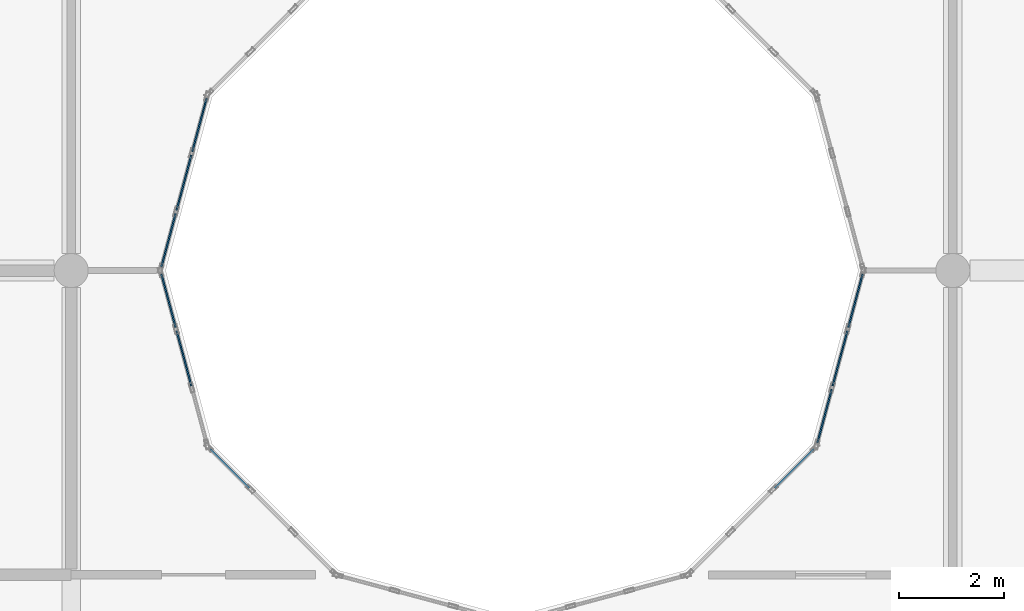
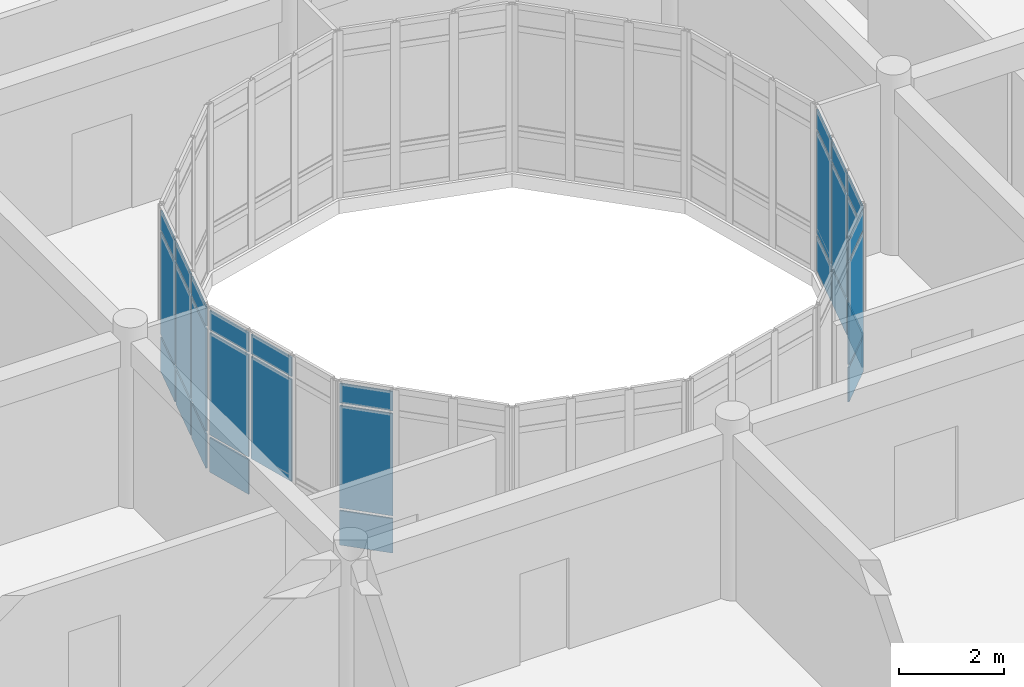
# One storey, part 62 of 119: 29 plates, 5 elements without a shape of their own.
"""IFC4 building model written with IfcOpenShell, lengths in metres."""

from ifc_helpers import new_model, si_unit, direction, frame, origin, origin_2d, place, context, subcontext, project, spatial, rectangle, extrude, material, layer, layer_set, type_object, element, aggregate, save


model = new_model("IFC4")

# Units and contexts
model_context = context("Model", 3, precision=1e-05, world=origin(), true_north=direction((0.0, 1.0)))
body_context = subcontext(model_context, "Body", "Model", "MODEL_VIEW")
ifc_project = project(units=[si_unit("LENGTHUNIT", "METRE"), si_unit("AREAUNIT", "SQUARE_METRE"), si_unit("VOLUMEUNIT", "CUBIC_METRE"), si_unit("PLANEANGLEUNIT", "RADIAN"), si_unit("MASSUNIT", "GRAM", prefix="KILO")], contexts=[model_context])

# Site, building, storey
site_placement = place(None, origin())
site = spatial("IfcSite", under=ifc_project, at=site_placement, CompositionType="ELEMENT")
building_placement = place(site_placement, origin())
building = spatial("IfcBuilding", under=site, at=building_placement, Name="Bramfleet General Hospital", CompositionType="ELEMENT")
storey_placement = place(building_placement, frame((0.0, 0.0, 14.39990234375)))
storey = spatial("IfcBuildingStorey", under=building, at=storey_placement, Name="L03", CompositionType="ELEMENT", Elevation=14.39990234375)

# Curtain wall, plates
ifc_material_1 = material(Name="Anodised aluminium and low-E triple glazing", Category="aluminium")
ifc_layer_1 = layer(ifc_material_1, 0.179931640625, Name="CWT-CW-17")
ifc_layer_set_1 = layer_set([ifc_layer_1], Name="Anodised aluminium and low-E triple glazing")
curtain_wall_type_1 = type_object("IfcCurtainWallType", Name="CWT-CW-17", PredefinedType="USERDEFINED", material=ifc_layer_set_1)
curtain_wall_1_placement = place(storey_placement, origin())
curtain_wall_1 = element("IfcCurtainWall", 1, at=curtain_wall_1_placement, inside=storey, type_object=curtain_wall_type_1, Name="L03 West Clinical Light Court Curtain Wall 1.1", ObjectType="Stick curtain wall", PredefinedType="USERDEFINED")
ifc_material_2 = material(Name="Low-E laminated safety glass", Category="glass")
ifc_layer_2 = layer(ifc_material_2, 0.031982421875, Name="CWP-GLZ-2")
ifc_layer_set_2 = layer_set([ifc_layer_2], Name="Low-E laminated safety glass")
plate_type = type_object("IfcPlateType", Name="CWP-GLZ-2", PredefinedType="CURTAIN_PANEL", material=ifc_layer_set_2)
plate_1_placement = place(storey_placement, frame((18.654296875, 83.4248046875, 0.06494140625), z_axis=(0.0, 0.0, 1.0), x_axis=(0.25891863407, -0.965899136003, 0.0)))
plate_1 = element("IfcPlate", 2, at=plate_1_placement, type_object=plate_type, Name="CW-17 panel 1.1", PredefinedType="CURTAIN_PANEL", context=body_context, shape_type="SweptSolid", body=[
    extrude(rectangle(XDim=1.051025390625, YDim=0.031982421875, at=origin_2d()), origin(), (0.0, 0.0, 1.0), 0.802490234375),
])
plate_2_placement = place(storey_placement, frame((18.654296875, 83.4248046875, 0.9326171875), z_axis=(0.0, 0.0, 1.0), x_axis=(0.25891863407, -0.965899136003, 0.0)))
plate_2 = element("IfcPlate", 3, at=plate_2_placement, type_object=plate_type, Name="CW-17 panel 1.2", PredefinedType="CURTAIN_PANEL", context=body_context, shape_type="SweptSolid", body=[
    extrude(rectangle(XDim=1.051025390625, YDim=0.031982421875, at=origin_2d()), origin(), (0.0, 0.0, 1.0), 2.375),
])
plate_3_placement = place(storey_placement, frame((18.654296875, 83.4248046875, 3.37255859375), z_axis=(0.0, 0.0, 1.0), x_axis=(0.25891863407, -0.965899136003, 0.0)))
plate_3 = element("IfcPlate", 4, at=plate_3_placement, type_object=plate_type, Name="CW-17 panel 1.3", PredefinedType="CURTAIN_PANEL", context=body_context, shape_type="SweptSolid", body=[
    extrude(rectangle(XDim=1.051025390625, YDim=0.031982421875, at=origin_2d()), origin(), (0.0, 0.0, 1.0), 0.452392578125),
])
plate_4_placement = place(storey_placement, frame((18.948974609375, 82.324951171875, 0.9326171875), z_axis=(0.0, 0.0, 1.0), x_axis=(0.25891863407, -0.965899136003, 0.0)))
plate_4 = element("IfcPlate", 5, at=plate_4_placement, type_object=plate_type, Name="CW-17 panel 2.2", PredefinedType="CURTAIN_PANEL", context=body_context, shape_type="SweptSolid", body=[
    extrude(rectangle(XDim=1.086181640625, YDim=0.031982421875, at=origin_2d()), origin(), (0.0, 0.0, 1.0), 2.375),
])
plate_5_placement = place(storey_placement, frame((18.948974609375, 82.324951171875, 3.37255859375), z_axis=(0.0, 0.0, 1.0), x_axis=(0.25891863407, -0.965899136003, 0.0)))
plate_5 = element("IfcPlate", 6, at=plate_5_placement, type_object=plate_type, Name="CW-17 panel 2.3", PredefinedType="CURTAIN_PANEL", context=body_context, shape_type="SweptSolid", body=[
    extrude(rectangle(XDim=1.086181640625, YDim=0.031982421875, at=origin_2d()), origin(), (0.0, 0.0, 1.0), 0.452392578125),
])
aggregate(curtain_wall_1, [plate_1, plate_2, plate_3, plate_4, plate_5])

ifc_layer_3 = layer(ifc_material_1, 0.179931640625, Name="CWT-CW-18")
ifc_layer_set_3 = layer_set([ifc_layer_3], Name="Anodised aluminium and low-E triple glazing")
curtain_wall_type_2 = type_object("IfcCurtainWallType", Name="CWT-CW-18", PredefinedType="USERDEFINED", material=ifc_layer_set_3)
curtain_wall_2_placement = place(storey_placement, origin())
curtain_wall_2 = element("IfcCurtainWall", 7, at=curtain_wall_2_placement, inside=storey, type_object=curtain_wall_type_2, Name="L03 West Clinical Light Court Curtain Wall 2.1", ObjectType="Stick curtain wall", PredefinedType="USERDEFINED")
plate_6_placement = place(storey_placement, frame((19.819091796875, 80.22900390625, 0.06494140625), z_axis=(0.0, 0.0, 1.0), x_axis=(0.707106781187, -0.707106781187, 0.0)))
plate_6 = element("IfcPlate", 8, at=plate_6_placement, type_object=plate_type, Name="CW-18 panel 1.1", PredefinedType="CURTAIN_PANEL", context=body_context, shape_type="SweptSolid", body=[
    extrude(rectangle(XDim=1.05078125, YDim=0.031982421875, at=origin_2d()), origin(), (0.0, 0.0, 1.0), 0.802490234375),
])
plate_7_placement = place(storey_placement, frame((19.819091796875, 80.22900390625, 0.9326171875), z_axis=(0.0, 0.0, 1.0), x_axis=(0.707106781187, -0.707106781187, 0.0)))
plate_7 = element("IfcPlate", 9, at=plate_7_placement, type_object=plate_type, Name="CW-18 panel 1.2", PredefinedType="CURTAIN_PANEL", context=body_context, shape_type="SweptSolid", body=[
    extrude(rectangle(XDim=1.05078125, YDim=0.031982421875, at=origin_2d()), origin(), (0.0, 0.0, 1.0), 2.375),
])
plate_8_placement = place(storey_placement, frame((19.819091796875, 80.22900390625, 3.37255859375), z_axis=(0.0, 0.0, 1.0), x_axis=(0.707106781187, -0.707106781187, 0.0)))
plate_8 = element("IfcPlate", 10, at=plate_8_placement, type_object=plate_type, Name="CW-18 panel 1.3", PredefinedType="CURTAIN_PANEL", context=body_context, shape_type="SweptSolid", body=[
    extrude(rectangle(XDim=1.05078125, YDim=0.031982421875, at=origin_2d()), origin(), (0.0, 0.0, 1.0), 0.452392578125),
])
aggregate(curtain_wall_2, [plate_6, plate_7, plate_8])

ifc_layer_4 = layer(ifc_material_1, 0.179931640625, Name="CWT-CW-13")
ifc_layer_set_4 = layer_set([ifc_layer_4], Name="Anodised aluminium and low-E triple glazing")
curtain_wall_type_3 = type_object("IfcCurtainWallType", Name="CWT-CW-13", PredefinedType="USERDEFINED", material=ifc_layer_set_4)
curtain_wall_3_placement = place(storey_placement, origin())
curtain_wall_3 = element("IfcCurtainWall", 11, at=curtain_wall_3_placement, inside=storey, type_object=curtain_wall_type_3, Name="L03 West Clinical Light Court Curtain Wall 5.1", ObjectType="Stick curtain wall", PredefinedType="USERDEFINED")
plate_9_placement = place(storey_placement, frame((30.5810546875, 80.22900390625, 0.06494140625), z_axis=(0.0, 0.0, 1.0), x_axis=(0.707106781187, 0.707106781187, 0.0)))
plate_9 = element("IfcPlate", 12, at=plate_9_placement, type_object=plate_type, Name="CW-13 panel 3.1", PredefinedType="CURTAIN_PANEL", context=body_context, shape_type="SweptSolid", body=[
    extrude(rectangle(XDim=1.05078125, YDim=0.031982421875, at=origin_2d()), origin(), (0.0, 0.0, 1.0), 0.802490234375),
])
plate_10_placement = place(storey_placement, frame((30.5810546875, 80.22900390625, 0.9326171875), z_axis=(0.0, 0.0, 1.0), x_axis=(0.707106781187, 0.707106781187, 0.0)))
plate_10 = element("IfcPlate", 13, at=plate_10_placement, type_object=plate_type, Name="CW-13 panel 3.2", PredefinedType="CURTAIN_PANEL", context=body_context, shape_type="SweptSolid", body=[
    extrude(rectangle(XDim=1.05078125, YDim=0.031982421875, at=origin_2d()), origin(), (0.0, 0.0, 1.0), 2.375),
])
plate_11_placement = place(storey_placement, frame((30.5810546875, 80.22900390625, 3.37255859375), z_axis=(0.0, 0.0, 1.0), x_axis=(0.707106781187, 0.707106781187, 0.0)))
plate_11 = element("IfcPlate", 14, at=plate_11_placement, type_object=plate_type, Name="CW-13 panel 3.3", PredefinedType="CURTAIN_PANEL", context=body_context, shape_type="SweptSolid", body=[
    extrude(rectangle(XDim=1.05078125, YDim=0.031982421875, at=origin_2d()), origin(), (0.0, 0.0, 1.0), 0.452392578125),
])
aggregate(curtain_wall_3, [plate_9, plate_10, plate_11])

ifc_layer_5 = layer(ifc_material_1, 0.179931640625, Name="CWT-CW-14")
ifc_layer_set_5 = layer_set([ifc_layer_5], Name="Anodised aluminium and low-E triple glazing")
curtain_wall_type_4 = type_object("IfcCurtainWallType", Name="CWT-CW-14", PredefinedType="USERDEFINED", material=ifc_layer_set_5)
curtain_wall_4_placement = place(storey_placement, origin())
curtain_wall_4 = element("IfcCurtainWall", 15, at=curtain_wall_4_placement, inside=storey, type_object=curtain_wall_type_4, Name="L03 West Clinical Light Court Curtain Wall 6.1", ObjectType="Stick curtain wall", PredefinedType="USERDEFINED")
plate_12_placement = place(storey_placement, frame((31.15625, 81.225341796875, 0.06494140625), z_axis=(0.0, 0.0, 1.0), x_axis=(0.25891863407, 0.965899136003, 0.0)))
plate_12 = element("IfcPlate", 16, at=plate_12_placement, type_object=plate_type, Name="CW-14 panel 1.1", PredefinedType="CURTAIN_PANEL", context=body_context, shape_type="SweptSolid", body=[
    extrude(rectangle(XDim=1.051025390625, YDim=0.031982421875, at=origin_2d()), origin(), (0.0, 0.0, 1.0), 0.802490234375),
])
plate_13_placement = place(storey_placement, frame((31.15625, 81.225341796875, 0.9326171875), z_axis=(0.0, 0.0, 1.0), x_axis=(0.25891863407, 0.965899136003, 0.0)))
plate_13 = element("IfcPlate", 17, at=plate_13_placement, type_object=plate_type, Name="CW-14 panel 1.2", PredefinedType="CURTAIN_PANEL", context=body_context, shape_type="SweptSolid", body=[
    extrude(rectangle(XDim=1.051025390625, YDim=0.031982421875, at=origin_2d()), origin(), (0.0, 0.0, 1.0), 2.375),
])
plate_14_placement = place(storey_placement, frame((31.15625, 81.225341796875, 3.37255859375), z_axis=(0.0, 0.0, 1.0), x_axis=(0.25891863407, 0.965899136003, 0.0)))
plate_14 = element("IfcPlate", 18, at=plate_14_placement, type_object=plate_type, Name="CW-14 panel 1.3", PredefinedType="CURTAIN_PANEL", context=body_context, shape_type="SweptSolid", body=[
    extrude(rectangle(XDim=1.051025390625, YDim=0.031982421875, at=origin_2d()), origin(), (0.0, 0.0, 1.0), 0.452392578125),
])
plate_15_placement = place(storey_placement, frame((31.450927734375, 82.324951171875, 0.06494140625), z_axis=(0.0, 0.0, 1.0), x_axis=(0.25891863407, 0.965899136003, 0.0)))
plate_15 = element("IfcPlate", 19, at=plate_15_placement, type_object=plate_type, Name="CW-14 panel 2.1", PredefinedType="CURTAIN_PANEL", context=body_context, shape_type="SweptSolid", body=[
    extrude(rectangle(XDim=1.086181640625, YDim=0.031982421875, at=origin_2d()), origin(), (0.0, 0.0, 1.0), 0.802490234375),
])
plate_16_placement = place(storey_placement, frame((31.450927734375, 82.324951171875, 0.9326171875), z_axis=(0.0, 0.0, 1.0), x_axis=(0.25891863407, 0.965899136003, 0.0)))
plate_16 = element("IfcPlate", 20, at=plate_16_placement, type_object=plate_type, Name="CW-14 panel 2.2", PredefinedType="CURTAIN_PANEL", context=body_context, shape_type="SweptSolid", body=[
    extrude(rectangle(XDim=1.086181640625, YDim=0.031982421875, at=origin_2d()), origin(), (0.0, 0.0, 1.0), 2.375),
])
plate_17_placement = place(storey_placement, frame((31.450927734375, 82.324951171875, 3.37255859375), z_axis=(0.0, 0.0, 1.0), x_axis=(0.25891863407, 0.965899136003, 0.0)))
plate_17 = element("IfcPlate", 21, at=plate_17_placement, type_object=plate_type, Name="CW-14 panel 2.3", PredefinedType="CURTAIN_PANEL", context=body_context, shape_type="SweptSolid", body=[
    extrude(rectangle(XDim=1.086181640625, YDim=0.031982421875, at=origin_2d()), origin(), (0.0, 0.0, 1.0), 0.452392578125),
])
plate_18_placement = place(storey_placement, frame((31.745849609375, 83.4248046875, 0.06494140625), z_axis=(0.0, 0.0, 1.0), x_axis=(0.25891863407, 0.965899136003, 0.0)))
plate_18 = element("IfcPlate", 22, at=plate_18_placement, type_object=plate_type, Name="CW-14 panel 3.1", PredefinedType="CURTAIN_PANEL", context=body_context, shape_type="SweptSolid", body=[
    extrude(rectangle(XDim=1.051025390625, YDim=0.031982421875, at=origin_2d()), origin(), (0.0, 0.0, 1.0), 0.802490234375),
])
plate_19_placement = place(storey_placement, frame((31.745849609375, 83.4248046875, 0.9326171875), z_axis=(0.0, 0.0, 1.0), x_axis=(0.25891863407, 0.965899136003, 0.0)))
plate_19 = element("IfcPlate", 23, at=plate_19_placement, type_object=plate_type, Name="CW-14 panel 3.2", PredefinedType="CURTAIN_PANEL", context=body_context, shape_type="SweptSolid", body=[
    extrude(rectangle(XDim=1.051025390625, YDim=0.031982421875, at=origin_2d()), origin(), (0.0, 0.0, 1.0), 2.375),
])
plate_20_placement = place(storey_placement, frame((31.745849609375, 83.4248046875, 3.37255859375), z_axis=(0.0, 0.0, 1.0), x_axis=(0.25891863407, 0.965899136003, 0.0)))
plate_20 = element("IfcPlate", 24, at=plate_20_placement, type_object=plate_type, Name="CW-14 panel 3.3", PredefinedType="CURTAIN_PANEL", context=body_context, shape_type="SweptSolid", body=[
    extrude(rectangle(XDim=1.051025390625, YDim=0.031982421875, at=origin_2d()), origin(), (0.0, 0.0, 1.0), 0.452392578125),
])
aggregate(curtain_wall_4, [plate_12, plate_13, plate_14, plate_15, plate_16, plate_17, plate_18, plate_19, plate_20])

ifc_layer_6 = layer(ifc_material_1, 0.179931640625, Name="CWT-CW-12")
ifc_layer_set_6 = layer_set([ifc_layer_6], Name="Anodised aluminium and low-E triple glazing")
curtain_wall_type_5 = type_object("IfcCurtainWallType", Name="CWT-CW-12", PredefinedType="USERDEFINED", material=ifc_layer_set_6)
curtain_wall_5_placement = place(storey_placement, origin())
curtain_wall_5 = element("IfcCurtainWall", 25, at=curtain_wall_5_placement, inside=storey, type_object=curtain_wall_type_5, Name="L03 West Clinical Light Court Curtain Wall 12.1", ObjectType="Stick curtain wall", PredefinedType="USERDEFINED")
plate_21_placement = place(storey_placement, frame((19.243896484375, 86.774658203125, 0.06494140625), z_axis=(0.0, 0.0, 1.0), x_axis=(-0.25891863407, -0.965899136003, 0.0)))
plate_21 = element("IfcPlate", 26, at=plate_21_placement, type_object=plate_type, Name="CW-12 panel 1.1", PredefinedType="CURTAIN_PANEL", context=body_context, shape_type="SweptSolid", body=[
    extrude(rectangle(XDim=1.051025390625, YDim=0.031982421875, at=origin_2d()), origin(), (0.0, 0.0, 1.0), 0.802490234375),
])
plate_22_placement = place(storey_placement, frame((19.243896484375, 86.774658203125, 0.9326171875), z_axis=(0.0, 0.0, 1.0), x_axis=(-0.25891863407, -0.965899136003, 0.0)))
plate_22 = element("IfcPlate", 27, at=plate_22_placement, type_object=plate_type, Name="CW-12 panel 1.2", PredefinedType="CURTAIN_PANEL", context=body_context, shape_type="SweptSolid", body=[
    extrude(rectangle(XDim=1.051025390625, YDim=0.031982421875, at=origin_2d()), origin(), (0.0, 0.0, 1.0), 2.375),
])
plate_23_placement = place(storey_placement, frame((19.243896484375, 86.774658203125, 3.37255859375), z_axis=(0.0, 0.0, 1.0), x_axis=(-0.25891863407, -0.965899136003, 0.0)))
plate_23 = element("IfcPlate", 28, at=plate_23_placement, type_object=plate_type, Name="CW-12 panel 1.3", PredefinedType="CURTAIN_PANEL", context=body_context, shape_type="SweptSolid", body=[
    extrude(rectangle(XDim=1.051025390625, YDim=0.031982421875, at=origin_2d()), origin(), (0.0, 0.0, 1.0), 0.452392578125),
])
plate_24_placement = place(storey_placement, frame((18.948974609375, 85.675048828125, 0.06494140625), z_axis=(0.0, 0.0, 1.0), x_axis=(-0.25891863407, -0.965899136003, 0.0)))
plate_24 = element("IfcPlate", 29, at=plate_24_placement, type_object=plate_type, Name="CW-12 panel 2.1", PredefinedType="CURTAIN_PANEL", context=body_context, shape_type="SweptSolid", body=[
    extrude(rectangle(XDim=1.086181640625, YDim=0.031982421875, at=origin_2d()), origin(), (0.0, 0.0, 1.0), 0.802490234375),
])
plate_25_placement = place(storey_placement, frame((18.948974609375, 85.675048828125, 0.9326171875), z_axis=(0.0, 0.0, 1.0), x_axis=(-0.25891863407, -0.965899136003, 0.0)))
plate_25 = element("IfcPlate", 30, at=plate_25_placement, type_object=plate_type, Name="CW-12 panel 2.2", PredefinedType="CURTAIN_PANEL", context=body_context, shape_type="SweptSolid", body=[
    extrude(rectangle(XDim=1.086181640625, YDim=0.031982421875, at=origin_2d()), origin(), (0.0, 0.0, 1.0), 2.375),
])
plate_26_placement = place(storey_placement, frame((18.948974609375, 85.675048828125, 3.37255859375), z_axis=(0.0, 0.0, 1.0), x_axis=(-0.25891863407, -0.965899136003, 0.0)))
plate_26 = element("IfcPlate", 31, at=plate_26_placement, type_object=plate_type, Name="CW-12 panel 2.3", PredefinedType="CURTAIN_PANEL", context=body_context, shape_type="SweptSolid", body=[
    extrude(rectangle(XDim=1.086181640625, YDim=0.031982421875, at=origin_2d()), origin(), (0.0, 0.0, 1.0), 0.452392578125),
])
plate_27_placement = place(storey_placement, frame((18.654296875, 84.5751953125, 0.06494140625), z_axis=(0.0, 0.0, 1.0), x_axis=(-0.25891863407, -0.965899136003, 0.0)))
plate_27 = element("IfcPlate", 32, at=plate_27_placement, type_object=plate_type, Name="CW-12 panel 3.1", PredefinedType="CURTAIN_PANEL", context=body_context, shape_type="SweptSolid", body=[
    extrude(rectangle(XDim=1.051025390625, YDim=0.031982421875, at=origin_2d()), origin(), (0.0, 0.0, 1.0), 0.802490234375),
])
plate_28_placement = place(storey_placement, frame((18.654296875, 84.5751953125, 0.9326171875), z_axis=(0.0, 0.0, 1.0), x_axis=(-0.25891863407, -0.965899136003, 0.0)))
plate_28 = element("IfcPlate", 33, at=plate_28_placement, type_object=plate_type, Name="CW-12 panel 3.2", PredefinedType="CURTAIN_PANEL", context=body_context, shape_type="SweptSolid", body=[
    extrude(rectangle(XDim=1.051025390625, YDim=0.031982421875, at=origin_2d()), origin(), (0.0, 0.0, 1.0), 2.375),
])
plate_29_placement = place(storey_placement, frame((18.654296875, 84.5751953125, 3.37255859375), z_axis=(0.0, 0.0, 1.0), x_axis=(-0.25891863407, -0.965899136003, 0.0)))
plate_29 = element("IfcPlate", 34, at=plate_29_placement, type_object=plate_type, Name="CW-12 panel 3.3", PredefinedType="CURTAIN_PANEL", context=body_context, shape_type="SweptSolid", body=[
    extrude(rectangle(XDim=1.051025390625, YDim=0.031982421875, at=origin_2d()), origin(), (0.0, 0.0, 1.0), 0.452392578125),
])
aggregate(curtain_wall_5, [plate_21, plate_22, plate_23, plate_24, plate_25, plate_26, plate_27, plate_28, plate_29])

save(model, "model.ifc")
